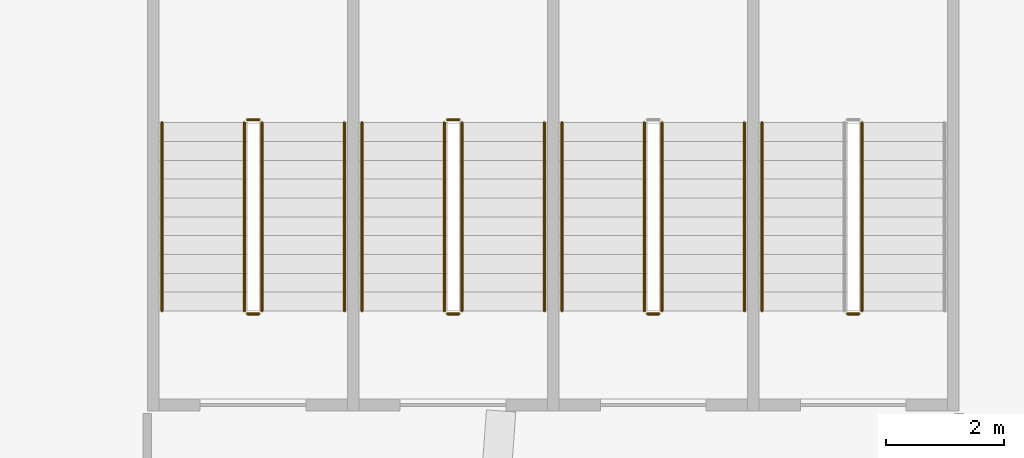
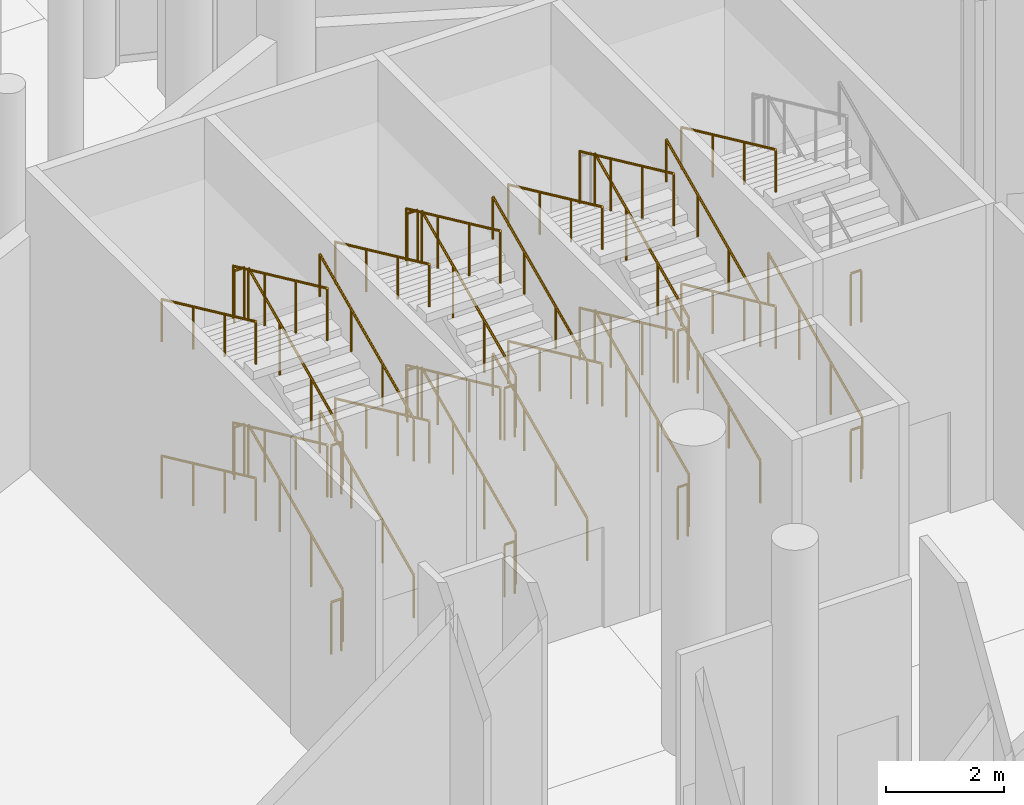
# One storey, part 247 of 255: 39 railings.
"""IFC4 building model written with IfcOpenShell, lengths in metres."""

from ifc_helpers import new_model, si_unit, direction, frame, origin, origin_2d, place, context, subcontext, project, spatial, circle, extrude, material, type_object, element, save


model = new_model("IFC4")

# Units and contexts
model_context = context("Model", 3, precision=1e-05, world=origin(), true_north=direction((0.0, 1.0)))
body_context = subcontext(model_context, "Body", "Model", "MODEL_VIEW")
ifc_project = project(units=[si_unit("LENGTHUNIT", "METRE"), si_unit("AREAUNIT", "SQUARE_METRE"), si_unit("VOLUMEUNIT", "CUBIC_METRE"), si_unit("PLANEANGLEUNIT", "RADIAN"), si_unit("MASSUNIT", "GRAM", prefix="KILO")], contexts=[model_context])

# Site, building, storey
site_placement = place(None, origin())
site = spatial("IfcSite", under=ifc_project, at=site_placement, CompositionType="ELEMENT")
building_placement = place(site_placement, origin())
building = spatial("IfcBuilding", under=site, at=building_placement, Name="Meseta Stadium", CompositionType="ELEMENT")
storey_placement = place(building_placement, origin())
storey = spatial("IfcBuildingStorey", under=building, at=storey_placement, Name="L00", CompositionType="ELEMENT", Elevation=0.0)

# Railings
ifc_material_1 = material(Name="Steel S355", Category="steel")
railing_type_1 = type_object("IfcRailingType", Name="Stair guard 1100", PredefinedType="GUARDRAIL", material=ifc_material_1)
railing_1_placement = place(storey_placement, frame((12.916748046875, 94.89990234375, 0.147705078125)))
element("IfcRailing", 1, at=railing_1_placement, inside=storey, type_object=railing_type_1, Name="ST37 L00 guard 1", PredefinedType="GUARDRAIL", context=body_context, shape_type="SweptSolid", body=[
    extrude(circle(Radius=0.02392578125, at=origin_2d()), frame((0.0, 0.0, 1.076171875), z_axis=(0.0, 0.907928972973, 0.419124062821), x_axis=(-1.0, 0.0, 0.0)), (0.0, 0.0, 1.0), 3.524658203125),
    extrude(circle(Radius=0.02099609375, at=origin_2d()), origin(), (0.0, 0.0, 1.0), 1.052001953125),
    extrude(circle(Radius=0.02099609375, at=origin_2d()), frame((0.0, 1.066650390625, 0.492431640625)), (0.0, 0.0, 1.0), 1.052001953125),
    extrude(circle(Radius=0.02099609375, at=origin_2d()), frame((0.0, 2.133544921875, 0.98486328125)), (0.0, 0.0, 1.0), 1.052001953125),
    extrude(circle(Radius=0.02099609375, at=origin_2d()), frame((0.0, 3.2001953125, 1.477294921875)), (0.0, 0.0, 1.0), 1.052001953125),
])
for number, where, name in (
    (2, (12.86669921875, 94.85009765625, 3.25), "ST37 L00 guard 4"),
    (3, (12.86669921875, 94.85009765625, 0.0), "ST37 L00 guard 8"),
):
    element("IfcRailing", number, at=place(storey_placement, frame(where)), inside=storey, type_object=railing_type_1, Name=name, PredefinedType="GUARDRAIL", context=body_context, shape_type="SweptSolid", body=[
        extrude(circle(Radius=0.02392578125, at=origin_2d()), frame((0.0, 0.0, 1.076171875), z_axis=(-1.0, 0.0, 0.0), x_axis=(0.0, -1.0, 0.0)), (0.0, 0.0, 1.0), 0.199951171875),
        extrude(circle(Radius=0.02099609375, at=origin_2d()), origin(), (0.0, 0.0, 1.0), 1.052001953125),
        extrude(circle(Radius=0.02099609375, at=origin_2d()), frame((-0.199951171875, 0.0, 0.0)), (0.0, 0.0, 1.0), 1.052001953125),
    ])
railing_2_placement = place(storey_placement, frame((9.5166015625, 94.89990234375, 0.147705078125)))
element("IfcRailing", 4, at=railing_2_placement, inside=storey, type_object=railing_type_1, Name="ST38 L00 guard 1", PredefinedType="GUARDRAIL", context=body_context, shape_type="SweptSolid", body=[
    extrude(circle(Radius=0.02392578125, at=origin_2d()), frame((0.0, 0.0, 1.076171875), z_axis=(0.0, 0.907928972973, 0.419124062821), x_axis=(-1.0, 0.0, 0.0)), (0.0, 0.0, 1.0), 3.524658203125),
    extrude(circle(Radius=0.02099609375, at=origin_2d()), origin(), (0.0, 0.0, 1.0), 1.052001953125),
    extrude(circle(Radius=0.02099609375, at=origin_2d()), frame((0.0, 1.066650390625, 0.492431640625)), (0.0, 0.0, 1.0), 1.052001953125),
    extrude(circle(Radius=0.02099609375, at=origin_2d()), frame((0.0, 2.133544921875, 0.98486328125)), (0.0, 0.0, 1.0), 1.052001953125),
    extrude(circle(Radius=0.02099609375, at=origin_2d()), frame((0.0, 3.2001953125, 1.477294921875)), (0.0, 0.0, 1.0), 1.052001953125),
])
railing_3_placement = place(storey_placement, frame((9.216552734375, 98.10009765625, 1.772705078125)))
element("IfcRailing", 5, at=railing_3_placement, inside=storey, type_object=railing_type_1, Name="ST38 L00 guard 3", PredefinedType="GUARDRAIL", context=body_context, shape_type="SweptSolid", body=[
    extrude(circle(Radius=0.02392578125, at=origin_2d()), frame((0.0, 0.0, 1.076171875), z_axis=(0.0, -0.907928972973, 0.419124062821), x_axis=(1.0, 0.0, 0.0)), (0.0, 0.0, 1.0), 3.524658203125),
    extrude(circle(Radius=0.02099609375, at=origin_2d()), origin(), (0.0, 0.0, 1.0), 1.052001953125),
    extrude(circle(Radius=0.02099609375, at=origin_2d()), frame((0.0, -1.066650390625, 0.492431640625)), (0.0, 0.0, 1.0), 1.052001953125),
    extrude(circle(Radius=0.02099609375, at=origin_2d()), frame((0.0, -2.133544921875, 0.98486328125)), (0.0, 0.0, 1.0), 1.052001953125),
    extrude(circle(Radius=0.02099609375, at=origin_2d()), frame((0.0, -3.2001953125, 1.477294921875)), (0.0, 0.0, 1.0), 1.052001953125),
])
railing_4_placement = place(storey_placement, frame((9.466552734375, 94.85009765625, 3.25)))
element("IfcRailing", 6, at=railing_4_placement, inside=storey, type_object=railing_type_1, Name="ST38 L00 guard 4", PredefinedType="GUARDRAIL", context=body_context, shape_type="SweptSolid", body=[
    extrude(circle(Radius=0.02392578125, at=origin_2d()), frame((0.0, 0.0, 1.076171875), z_axis=(-1.0, 0.0, 0.0), x_axis=(0.0, -1.0, 0.0)), (0.0, 0.0, 1.0), 0.199951171875),
    extrude(circle(Radius=0.02099609375, at=origin_2d()), origin(), (0.0, 0.0, 1.0), 1.052001953125),
    extrude(circle(Radius=0.02099609375, at=origin_2d()), frame((-0.199951171875, 0.0, 0.0)), (0.0, 0.0, 1.0), 1.052001953125),
])
railing_5_placement = place(storey_placement, frame((9.5166015625, 94.89990234375, 3.397705078125)))
element("IfcRailing", 7, at=railing_5_placement, inside=storey, type_object=railing_type_1, Name="ST38 L00 guard 5", PredefinedType="GUARDRAIL", context=body_context, shape_type="SweptSolid", body=[
    extrude(circle(Radius=0.02392578125, at=origin_2d()), frame((0.0, 0.0, 1.076171875), z_axis=(0.0, 0.907928972973, 0.419124062821), x_axis=(-1.0, 0.0, 0.0)), (0.0, 0.0, 1.0), 3.524658203125),
    extrude(circle(Radius=0.02099609375, at=origin_2d()), origin(), (0.0, 0.0, 1.0), 1.052001953125),
    extrude(circle(Radius=0.02099609375, at=origin_2d()), frame((0.0, 1.066650390625, 0.492431640625)), (0.0, 0.0, 1.0), 1.052001953125),
    extrude(circle(Radius=0.02099609375, at=origin_2d()), frame((0.0, 2.133544921875, 0.98486328125)), (0.0, 0.0, 1.0), 1.052001953125),
    extrude(circle(Radius=0.02099609375, at=origin_2d()), frame((0.0, 3.2001953125, 1.477294921875)), (0.0, 0.0, 1.0), 1.052001953125),
])
railing_6_placement = place(storey_placement, frame((9.216552734375, 98.10009765625, 5.022705078125)))
element("IfcRailing", 8, at=railing_6_placement, inside=storey, type_object=railing_type_1, Name="ST38 L00 guard 7", PredefinedType="GUARDRAIL", context=body_context, shape_type="SweptSolid", body=[
    extrude(circle(Radius=0.02392578125, at=origin_2d()), frame((0.0, 0.0, 1.076171875), z_axis=(0.0, -0.907928972973, 0.419124062821), x_axis=(1.0, 0.0, 0.0)), (0.0, 0.0, 1.0), 3.524658203125),
    extrude(circle(Radius=0.02099609375, at=origin_2d()), origin(), (0.0, 0.0, 1.0), 1.052001953125),
    extrude(circle(Radius=0.02099609375, at=origin_2d()), frame((0.0, -1.066650390625, 0.492431640625)), (0.0, 0.0, 1.0), 1.052001953125),
    extrude(circle(Radius=0.02099609375, at=origin_2d()), frame((0.0, -2.133544921875, 0.98486328125)), (0.0, 0.0, 1.0), 1.052001953125),
    extrude(circle(Radius=0.02099609375, at=origin_2d()), frame((0.0, -3.2001953125, 1.477294921875)), (0.0, 0.0, 1.0), 1.052001953125),
])
railing_7_placement = place(storey_placement, frame((9.466552734375, 94.85009765625, 0.0)))
element("IfcRailing", 9, at=railing_7_placement, inside=storey, type_object=railing_type_1, Name="ST38 L00 guard 8", PredefinedType="GUARDRAIL", context=body_context, shape_type="SweptSolid", body=[
    extrude(circle(Radius=0.02392578125, at=origin_2d()), frame((0.0, 0.0, 1.076171875), z_axis=(-1.0, 0.0, 0.0), x_axis=(0.0, -1.0, 0.0)), (0.0, 0.0, 1.0), 0.199951171875),
    extrude(circle(Radius=0.02099609375, at=origin_2d()), origin(), (0.0, 0.0, 1.0), 1.052001953125),
    extrude(circle(Radius=0.02099609375, at=origin_2d()), frame((-0.199951171875, 0.0, 0.0)), (0.0, 0.0, 1.0), 1.052001953125),
])
railing_8_placement = place(storey_placement, frame((6.11669921875, 94.89990234375, 0.147705078125)))
element("IfcRailing", 10, at=railing_8_placement, inside=storey, type_object=railing_type_1, Name="ST39 L00 guard 1", PredefinedType="GUARDRAIL", context=body_context, shape_type="SweptSolid", body=[
    extrude(circle(Radius=0.02392578125, at=origin_2d()), frame((0.0, 0.0, 1.076171875), z_axis=(0.0, 0.907928972973, 0.419124062821), x_axis=(-1.0, 0.0, 0.0)), (0.0, 0.0, 1.0), 3.524658203125),
    extrude(circle(Radius=0.02099609375, at=origin_2d()), origin(), (0.0, 0.0, 1.0), 1.052001953125),
    extrude(circle(Radius=0.02099609375, at=origin_2d()), frame((0.0, 1.066650390625, 0.492431640625)), (0.0, 0.0, 1.0), 1.052001953125),
    extrude(circle(Radius=0.02099609375, at=origin_2d()), frame((0.0, 2.133544921875, 0.98486328125)), (0.0, 0.0, 1.0), 1.052001953125),
    extrude(circle(Radius=0.02099609375, at=origin_2d()), frame((0.0, 3.2001953125, 1.477294921875)), (0.0, 0.0, 1.0), 1.052001953125),
])
railing_9_placement = place(storey_placement, frame((6.066650390625, 98.14990234375, 1.625)))
element("IfcRailing", 11, at=railing_9_placement, inside=storey, type_object=railing_type_1, Name="ST39 L00 guard 2", PredefinedType="GUARDRAIL", context=body_context, shape_type="SweptSolid", body=[
    extrude(circle(Radius=0.02392578125, at=origin_2d()), frame((0.0, 0.0, 1.076171875), z_axis=(-1.0, 0.0, 0.0), x_axis=(0.0, -1.0, 0.0)), (0.0, 0.0, 1.0), 0.199951171875),
    extrude(circle(Radius=0.02099609375, at=origin_2d()), origin(), (0.0, 0.0, 1.0), 1.052001953125),
    extrude(circle(Radius=0.02099609375, at=origin_2d()), frame((-0.199951171875, 0.0, 0.0)), (0.0, 0.0, 1.0), 1.052001953125),
])
railing_10_placement = place(storey_placement, frame((5.816650390625, 98.10009765625, 1.772705078125)))
element("IfcRailing", 12, at=railing_10_placement, inside=storey, type_object=railing_type_1, Name="ST39 L00 guard 3", PredefinedType="GUARDRAIL", context=body_context, shape_type="SweptSolid", body=[
    extrude(circle(Radius=0.02392578125, at=origin_2d()), frame((0.0, 0.0, 1.076171875), z_axis=(0.0, -0.907928972973, 0.419124062821), x_axis=(1.0, 0.0, 0.0)), (0.0, 0.0, 1.0), 3.524658203125),
    extrude(circle(Radius=0.02099609375, at=origin_2d()), origin(), (0.0, 0.0, 1.0), 1.052001953125),
    extrude(circle(Radius=0.02099609375, at=origin_2d()), frame((0.0, -1.066650390625, 0.492431640625)), (0.0, 0.0, 1.0), 1.052001953125),
    extrude(circle(Radius=0.02099609375, at=origin_2d()), frame((0.0, -2.133544921875, 0.98486328125)), (0.0, 0.0, 1.0), 1.052001953125),
    extrude(circle(Radius=0.02099609375, at=origin_2d()), frame((0.0, -3.2001953125, 1.477294921875)), (0.0, 0.0, 1.0), 1.052001953125),
])
railing_11_placement = place(storey_placement, frame((6.066650390625, 94.85009765625, 3.25)))
element("IfcRailing", 13, at=railing_11_placement, inside=storey, type_object=railing_type_1, Name="ST39 L00 guard 4", PredefinedType="GUARDRAIL", context=body_context, shape_type="SweptSolid", body=[
    extrude(circle(Radius=0.02392578125, at=origin_2d()), frame((0.0, 0.0, 1.076171875), z_axis=(-1.0, 0.0, 0.0), x_axis=(0.0, -1.0, 0.0)), (0.0, 0.0, 1.0), 0.199951171875),
    extrude(circle(Radius=0.02099609375, at=origin_2d()), origin(), (0.0, 0.0, 1.0), 1.052001953125),
    extrude(circle(Radius=0.02099609375, at=origin_2d()), frame((-0.199951171875, 0.0, 0.0)), (0.0, 0.0, 1.0), 1.052001953125),
])
railing_12_placement = place(storey_placement, frame((6.11669921875, 94.89990234375, 3.397705078125)))
element("IfcRailing", 14, at=railing_12_placement, inside=storey, type_object=railing_type_1, Name="ST39 L00 guard 5", PredefinedType="GUARDRAIL", context=body_context, shape_type="SweptSolid", body=[
    extrude(circle(Radius=0.02392578125, at=origin_2d()), frame((0.0, 0.0, 1.076171875), z_axis=(0.0, 0.907928972973, 0.419124062821), x_axis=(-1.0, 0.0, 0.0)), (0.0, 0.0, 1.0), 3.524658203125),
    extrude(circle(Radius=0.02099609375, at=origin_2d()), origin(), (0.0, 0.0, 1.0), 1.052001953125),
    extrude(circle(Radius=0.02099609375, at=origin_2d()), frame((0.0, 1.066650390625, 0.492431640625)), (0.0, 0.0, 1.0), 1.052001953125),
    extrude(circle(Radius=0.02099609375, at=origin_2d()), frame((0.0, 2.133544921875, 0.98486328125)), (0.0, 0.0, 1.0), 1.052001953125),
    extrude(circle(Radius=0.02099609375, at=origin_2d()), frame((0.0, 3.2001953125, 1.477294921875)), (0.0, 0.0, 1.0), 1.052001953125),
])
railing_13_placement = place(storey_placement, frame((6.066650390625, 98.14990234375, 4.875)))
element("IfcRailing", 15, at=railing_13_placement, inside=storey, type_object=railing_type_1, Name="ST39 L00 guard 6", PredefinedType="GUARDRAIL", context=body_context, shape_type="SweptSolid", body=[
    extrude(circle(Radius=0.02392578125, at=origin_2d()), frame((0.0, 0.0, 1.076171875), z_axis=(-1.0, 0.0, 0.0), x_axis=(0.0, -1.0, 0.0)), (0.0, 0.0, 1.0), 0.199951171875),
    extrude(circle(Radius=0.02099609375, at=origin_2d()), origin(), (0.0, 0.0, 1.0), 1.052001953125),
    extrude(circle(Radius=0.02099609375, at=origin_2d()), frame((-0.199951171875, 0.0, 0.0)), (0.0, 0.0, 1.0), 1.052001953125),
])
railing_14_placement = place(storey_placement, frame((5.816650390625, 98.10009765625, 5.022705078125)))
element("IfcRailing", 16, at=railing_14_placement, inside=storey, type_object=railing_type_1, Name="ST39 L00 guard 7", PredefinedType="GUARDRAIL", context=body_context, shape_type="SweptSolid", body=[
    extrude(circle(Radius=0.02392578125, at=origin_2d()), frame((0.0, 0.0, 1.076171875), z_axis=(0.0, -0.907928972973, 0.419124062821), x_axis=(1.0, 0.0, 0.0)), (0.0, 0.0, 1.0), 3.524658203125),
    extrude(circle(Radius=0.02099609375, at=origin_2d()), origin(), (0.0, 0.0, 1.0), 1.052001953125),
    extrude(circle(Radius=0.02099609375, at=origin_2d()), frame((0.0, -1.066650390625, 0.492431640625)), (0.0, 0.0, 1.0), 1.052001953125),
    extrude(circle(Radius=0.02099609375, at=origin_2d()), frame((0.0, -2.133544921875, 0.98486328125)), (0.0, 0.0, 1.0), 1.052001953125),
    extrude(circle(Radius=0.02099609375, at=origin_2d()), frame((0.0, -3.2001953125, 1.477294921875)), (0.0, 0.0, 1.0), 1.052001953125),
])
railing_15_placement = place(storey_placement, frame((6.066650390625, 94.85009765625, 0.0)))
element("IfcRailing", 17, at=railing_15_placement, inside=storey, type_object=railing_type_1, Name="ST39 L00 guard 8", PredefinedType="GUARDRAIL", context=body_context, shape_type="SweptSolid", body=[
    extrude(circle(Radius=0.02392578125, at=origin_2d()), frame((0.0, 0.0, 1.076171875), z_axis=(-1.0, 0.0, 0.0), x_axis=(0.0, -1.0, 0.0)), (0.0, 0.0, 1.0), 0.199951171875),
    extrude(circle(Radius=0.02099609375, at=origin_2d()), origin(), (0.0, 0.0, 1.0), 1.052001953125),
    extrude(circle(Radius=0.02099609375, at=origin_2d()), frame((-0.199951171875, 0.0, 0.0)), (0.0, 0.0, 1.0), 1.052001953125),
])
railing_16_placement = place(storey_placement, frame((2.716552734375, 94.89990234375, 0.147705078125)))
element("IfcRailing", 18, at=railing_16_placement, inside=storey, type_object=railing_type_1, Name="ST40 L00 guard 1", PredefinedType="GUARDRAIL", context=body_context, shape_type="SweptSolid", body=[
    extrude(circle(Radius=0.02392578125, at=origin_2d()), frame((0.0, 0.0, 1.076171875), z_axis=(0.0, 0.907928972973, 0.419124062821), x_axis=(-1.0, 0.0, 0.0)), (0.0, 0.0, 1.0), 3.524658203125),
    extrude(circle(Radius=0.02099609375, at=origin_2d()), origin(), (0.0, 0.0, 1.0), 1.052001953125),
    extrude(circle(Radius=0.02099609375, at=origin_2d()), frame((0.0, 1.066650390625, 0.492431640625)), (0.0, 0.0, 1.0), 1.052001953125),
    extrude(circle(Radius=0.02099609375, at=origin_2d()), frame((0.0, 2.133544921875, 0.98486328125)), (0.0, 0.0, 1.0), 1.052001953125),
    extrude(circle(Radius=0.02099609375, at=origin_2d()), frame((0.0, 3.2001953125, 1.477294921875)), (0.0, 0.0, 1.0), 1.052001953125),
])
railing_17_placement = place(storey_placement, frame((2.666748046875, 98.14990234375, 1.625)))
element("IfcRailing", 19, at=railing_17_placement, inside=storey, type_object=railing_type_1, Name="ST40 L00 guard 2", PredefinedType="GUARDRAIL", context=body_context, shape_type="SweptSolid", body=[
    extrude(circle(Radius=0.02392578125, at=origin_2d()), frame((0.0, 0.0, 1.076171875), z_axis=(-1.0, 0.0, 0.0), x_axis=(0.0, -1.0, 0.0)), (0.0, 0.0, 1.0), 0.2001953125),
    extrude(circle(Radius=0.02099609375, at=origin_2d()), origin(), (0.0, 0.0, 1.0), 1.052001953125),
    extrude(circle(Radius=0.02099609375, at=origin_2d()), frame((-0.2001953125, 0.0, 0.0)), (0.0, 0.0, 1.0), 1.052001953125),
])
railing_18_placement = place(storey_placement, frame((2.416748046875, 98.10009765625, 1.772705078125)))
element("IfcRailing", 20, at=railing_18_placement, inside=storey, type_object=railing_type_1, Name="ST40 L00 guard 3", PredefinedType="GUARDRAIL", context=body_context, shape_type="SweptSolid", body=[
    extrude(circle(Radius=0.02392578125, at=origin_2d()), frame((0.0, 0.0, 1.076171875), z_axis=(0.0, -0.907928972973, 0.419124062821), x_axis=(1.0, 0.0, 0.0)), (0.0, 0.0, 1.0), 3.524658203125),
    extrude(circle(Radius=0.02099609375, at=origin_2d()), origin(), (0.0, 0.0, 1.0), 1.052001953125),
    extrude(circle(Radius=0.02099609375, at=origin_2d()), frame((0.0, -1.066650390625, 0.492431640625)), (0.0, 0.0, 1.0), 1.052001953125),
    extrude(circle(Radius=0.02099609375, at=origin_2d()), frame((0.0, -2.133544921875, 0.98486328125)), (0.0, 0.0, 1.0), 1.052001953125),
    extrude(circle(Radius=0.02099609375, at=origin_2d()), frame((0.0, -3.2001953125, 1.477294921875)), (0.0, 0.0, 1.0), 1.052001953125),
])
railing_19_placement = place(storey_placement, frame((2.666748046875, 94.85009765625, 3.25)))
element("IfcRailing", 21, at=railing_19_placement, inside=storey, type_object=railing_type_1, Name="ST40 L00 guard 4", PredefinedType="GUARDRAIL", context=body_context, shape_type="SweptSolid", body=[
    extrude(circle(Radius=0.02392578125, at=origin_2d()), frame((0.0, 0.0, 1.076171875), z_axis=(-1.0, 0.0, 0.0), x_axis=(0.0, -1.0, 0.0)), (0.0, 0.0, 1.0), 0.2001953125),
    extrude(circle(Radius=0.02099609375, at=origin_2d()), origin(), (0.0, 0.0, 1.0), 1.052001953125),
    extrude(circle(Radius=0.02099609375, at=origin_2d()), frame((-0.2001953125, 0.0, 0.0)), (0.0, 0.0, 1.0), 1.052001953125),
])
railing_20_placement = place(storey_placement, frame((2.716552734375, 94.89990234375, 3.397705078125)))
element("IfcRailing", 22, at=railing_20_placement, inside=storey, type_object=railing_type_1, Name="ST40 L00 guard 5", PredefinedType="GUARDRAIL", context=body_context, shape_type="SweptSolid", body=[
    extrude(circle(Radius=0.02392578125, at=origin_2d()), frame((0.0, 0.0, 1.076171875), z_axis=(0.0, 0.907928972973, 0.419124062821), x_axis=(-1.0, 0.0, 0.0)), (0.0, 0.0, 1.0), 3.524658203125),
    extrude(circle(Radius=0.02099609375, at=origin_2d()), origin(), (0.0, 0.0, 1.0), 1.052001953125),
    extrude(circle(Radius=0.02099609375, at=origin_2d()), frame((0.0, 1.066650390625, 0.492431640625)), (0.0, 0.0, 1.0), 1.052001953125),
    extrude(circle(Radius=0.02099609375, at=origin_2d()), frame((0.0, 2.133544921875, 0.98486328125)), (0.0, 0.0, 1.0), 1.052001953125),
    extrude(circle(Radius=0.02099609375, at=origin_2d()), frame((0.0, 3.2001953125, 1.477294921875)), (0.0, 0.0, 1.0), 1.052001953125),
])
railing_21_placement = place(storey_placement, frame((2.666748046875, 98.14990234375, 4.875)))
element("IfcRailing", 23, at=railing_21_placement, inside=storey, type_object=railing_type_1, Name="ST40 L00 guard 6", PredefinedType="GUARDRAIL", context=body_context, shape_type="SweptSolid", body=[
    extrude(circle(Radius=0.02392578125, at=origin_2d()), frame((0.0, 0.0, 1.076171875), z_axis=(-1.0, 0.0, 0.0), x_axis=(0.0, -1.0, 0.0)), (0.0, 0.0, 1.0), 0.2001953125),
    extrude(circle(Radius=0.02099609375, at=origin_2d()), origin(), (0.0, 0.0, 1.0), 1.052001953125),
    extrude(circle(Radius=0.02099609375, at=origin_2d()), frame((-0.2001953125, 0.0, 0.0)), (0.0, 0.0, 1.0), 1.052001953125),
])
railing_22_placement = place(storey_placement, frame((2.416748046875, 98.10009765625, 5.022705078125)))
element("IfcRailing", 24, at=railing_22_placement, inside=storey, type_object=railing_type_1, Name="ST40 L00 guard 7", PredefinedType="GUARDRAIL", context=body_context, shape_type="SweptSolid", body=[
    extrude(circle(Radius=0.02392578125, at=origin_2d()), frame((0.0, 0.0, 1.076171875), z_axis=(0.0, -0.907928972973, 0.419124062821), x_axis=(1.0, 0.0, 0.0)), (0.0, 0.0, 1.0), 3.524658203125),
    extrude(circle(Radius=0.02099609375, at=origin_2d()), origin(), (0.0, 0.0, 1.0), 1.052001953125),
    extrude(circle(Radius=0.02099609375, at=origin_2d()), frame((0.0, -1.066650390625, 0.492431640625)), (0.0, 0.0, 1.0), 1.052001953125),
    extrude(circle(Radius=0.02099609375, at=origin_2d()), frame((0.0, -2.133544921875, 0.98486328125)), (0.0, 0.0, 1.0), 1.052001953125),
    extrude(circle(Radius=0.02099609375, at=origin_2d()), frame((0.0, -3.2001953125, 1.477294921875)), (0.0, 0.0, 1.0), 1.052001953125),
])
railing_23_placement = place(storey_placement, frame((2.666748046875, 94.85009765625, 0.0)))
element("IfcRailing", 25, at=railing_23_placement, inside=storey, type_object=railing_type_1, Name="ST40 L00 guard 8", PredefinedType="GUARDRAIL", context=body_context, shape_type="SweptSolid", body=[
    extrude(circle(Radius=0.02392578125, at=origin_2d()), frame((0.0, 0.0, 1.076171875), z_axis=(-1.0, 0.0, 0.0), x_axis=(0.0, -1.0, 0.0)), (0.0, 0.0, 1.0), 0.2001953125),
    extrude(circle(Radius=0.02099609375, at=origin_2d()), origin(), (0.0, 0.0, 1.0), 1.052001953125),
    extrude(circle(Radius=0.02099609375, at=origin_2d()), frame((-0.2001953125, 0.0, 0.0)), (0.0, 0.0, 1.0), 1.052001953125),
])
ifc_material_2 = material(Name="Steel S355", Category="steel")
railing_type_2 = type_object("IfcRailingType", Name="Stair handrail 900", PredefinedType="HANDRAIL", material=ifc_material_2)
for number, where, name in (
    (26, (11.216552734375, 98.10009765625, 1.772705078125), "ST37 L00 handrail 2"),
    (27, (11.216552734375, 98.10009765625, 5.022705078125), "ST37 L00 handrail 4"),
):
    element("IfcRailing", number, at=place(storey_placement, frame(where)), inside=storey, type_object=railing_type_2, Name=name, PredefinedType="HANDRAIL", context=body_context, shape_type="SweptSolid", body=[
        extrude(circle(Radius=0.02392578125, at=origin_2d()), frame((0.0, 0.0, 0.8759765625), z_axis=(0.0, -0.907928972973, 0.419124062821), x_axis=(1.0, 0.0, 0.0)), (0.0, 0.0, 1.0), 3.524658203125),
        extrude(circle(Radius=0.02099609375, at=origin_2d()), origin(), (0.0, 0.0, 1.0), 0.851806640625),
        extrude(circle(Radius=0.02099609375, at=origin_2d()), frame((0.0, -1.066650390625, 0.492431640625)), (0.0, 0.0, 1.0), 0.851806640625),
        extrude(circle(Radius=0.02099609375, at=origin_2d()), frame((0.0, -2.133544921875, 0.98486328125)), (0.0, 0.0, 1.0), 0.851806640625),
        extrude(circle(Radius=0.02099609375, at=origin_2d()), frame((0.0, -3.2001953125, 1.477294921875)), (0.0, 0.0, 1.0), 0.851806640625),
    ])
railing_24_placement = place(storey_placement, frame((10.916748046875, 94.89990234375, 0.147705078125)))
element("IfcRailing", 28, at=railing_24_placement, inside=storey, type_object=railing_type_2, Name="ST38 L00 handrail 1", PredefinedType="HANDRAIL", context=body_context, shape_type="SweptSolid", body=[
    extrude(circle(Radius=0.02392578125, at=origin_2d()), frame((0.0, 0.0, 0.8759765625), z_axis=(0.0, 0.907928972973, 0.419124062821), x_axis=(-1.0, 0.0, 0.0)), (0.0, 0.0, 1.0), 3.524658203125),
    extrude(circle(Radius=0.02099609375, at=origin_2d()), origin(), (0.0, 0.0, 1.0), 0.851806640625),
    extrude(circle(Radius=0.02099609375, at=origin_2d()), frame((0.0, 1.066650390625, 0.492431640625)), (0.0, 0.0, 1.0), 0.851806640625),
    extrude(circle(Radius=0.02099609375, at=origin_2d()), frame((0.0, 2.133544921875, 0.98486328125)), (0.0, 0.0, 1.0), 0.851806640625),
    extrude(circle(Radius=0.02099609375, at=origin_2d()), frame((0.0, 3.2001953125, 1.477294921875)), (0.0, 0.0, 1.0), 0.851806640625),
])
railing_25_placement = place(storey_placement, frame((7.816650390625, 98.10009765625, 1.772705078125)))
element("IfcRailing", 29, at=railing_25_placement, inside=storey, type_object=railing_type_2, Name="ST38 L00 handrail 2", PredefinedType="HANDRAIL", context=body_context, shape_type="SweptSolid", body=[
    extrude(circle(Radius=0.02392578125, at=origin_2d()), frame((0.0, 0.0, 0.8759765625), z_axis=(0.0, -0.907928972973, 0.419124062821), x_axis=(1.0, 0.0, 0.0)), (0.0, 0.0, 1.0), 3.524658203125),
    extrude(circle(Radius=0.02099609375, at=origin_2d()), origin(), (0.0, 0.0, 1.0), 0.851806640625),
    extrude(circle(Radius=0.02099609375, at=origin_2d()), frame((0.0, -1.066650390625, 0.492431640625)), (0.0, 0.0, 1.0), 0.851806640625),
    extrude(circle(Radius=0.02099609375, at=origin_2d()), frame((0.0, -2.133544921875, 0.98486328125)), (0.0, 0.0, 1.0), 0.851806640625),
    extrude(circle(Radius=0.02099609375, at=origin_2d()), frame((0.0, -3.2001953125, 1.477294921875)), (0.0, 0.0, 1.0), 0.851806640625),
])
railing_26_placement = place(storey_placement, frame((10.916748046875, 94.89990234375, 3.397705078125)))
element("IfcRailing", 30, at=railing_26_placement, inside=storey, type_object=railing_type_2, Name="ST38 L00 handrail 3", PredefinedType="HANDRAIL", context=body_context, shape_type="SweptSolid", body=[
    extrude(circle(Radius=0.02392578125, at=origin_2d()), frame((0.0, 0.0, 0.8759765625), z_axis=(0.0, 0.907928972973, 0.419124062821), x_axis=(-1.0, 0.0, 0.0)), (0.0, 0.0, 1.0), 3.524658203125),
    extrude(circle(Radius=0.02099609375, at=origin_2d()), origin(), (0.0, 0.0, 1.0), 0.851806640625),
    extrude(circle(Radius=0.02099609375, at=origin_2d()), frame((0.0, 1.066650390625, 0.492431640625)), (0.0, 0.0, 1.0), 0.851806640625),
    extrude(circle(Radius=0.02099609375, at=origin_2d()), frame((0.0, 2.133544921875, 0.98486328125)), (0.0, 0.0, 1.0), 0.851806640625),
    extrude(circle(Radius=0.02099609375, at=origin_2d()), frame((0.0, 3.2001953125, 1.477294921875)), (0.0, 0.0, 1.0), 0.851806640625),
])
railing_27_placement = place(storey_placement, frame((7.816650390625, 98.10009765625, 5.022705078125)))
element("IfcRailing", 31, at=railing_27_placement, inside=storey, type_object=railing_type_2, Name="ST38 L00 handrail 4", PredefinedType="HANDRAIL", context=body_context, shape_type="SweptSolid", body=[
    extrude(circle(Radius=0.02392578125, at=origin_2d()), frame((0.0, 0.0, 0.8759765625), z_axis=(0.0, -0.907928972973, 0.419124062821), x_axis=(1.0, 0.0, 0.0)), (0.0, 0.0, 1.0), 3.524658203125),
    extrude(circle(Radius=0.02099609375, at=origin_2d()), origin(), (0.0, 0.0, 1.0), 0.851806640625),
    extrude(circle(Radius=0.02099609375, at=origin_2d()), frame((0.0, -1.066650390625, 0.492431640625)), (0.0, 0.0, 1.0), 0.851806640625),
    extrude(circle(Radius=0.02099609375, at=origin_2d()), frame((0.0, -2.133544921875, 0.98486328125)), (0.0, 0.0, 1.0), 0.851806640625),
    extrude(circle(Radius=0.02099609375, at=origin_2d()), frame((0.0, -3.2001953125, 1.477294921875)), (0.0, 0.0, 1.0), 0.851806640625),
])
railing_28_placement = place(storey_placement, frame((7.5166015625, 94.89990234375, 0.147705078125)))
element("IfcRailing", 32, at=railing_28_placement, inside=storey, type_object=railing_type_2, Name="ST39 L00 handrail 1", PredefinedType="HANDRAIL", context=body_context, shape_type="SweptSolid", body=[
    extrude(circle(Radius=0.02392578125, at=origin_2d()), frame((0.0, 0.0, 0.8759765625), z_axis=(0.0, 0.907928972973, 0.419124062821), x_axis=(-1.0, 0.0, 0.0)), (0.0, 0.0, 1.0), 3.524658203125),
    extrude(circle(Radius=0.02099609375, at=origin_2d()), origin(), (0.0, 0.0, 1.0), 0.851806640625),
    extrude(circle(Radius=0.02099609375, at=origin_2d()), frame((0.0, 1.066650390625, 0.492431640625)), (0.0, 0.0, 1.0), 0.851806640625),
    extrude(circle(Radius=0.02099609375, at=origin_2d()), frame((0.0, 2.133544921875, 0.98486328125)), (0.0, 0.0, 1.0), 0.851806640625),
    extrude(circle(Radius=0.02099609375, at=origin_2d()), frame((0.0, 3.2001953125, 1.477294921875)), (0.0, 0.0, 1.0), 0.851806640625),
])
railing_29_placement = place(storey_placement, frame((4.416748046875, 98.10009765625, 1.772705078125)))
element("IfcRailing", 33, at=railing_29_placement, inside=storey, type_object=railing_type_2, Name="ST39 L00 handrail 2", PredefinedType="HANDRAIL", context=body_context, shape_type="SweptSolid", body=[
    extrude(circle(Radius=0.02392578125, at=origin_2d()), frame((0.0, 0.0, 0.8759765625), z_axis=(0.0, -0.907928972973, 0.419124062821), x_axis=(1.0, 0.0, 0.0)), (0.0, 0.0, 1.0), 3.524658203125),
    extrude(circle(Radius=0.02099609375, at=origin_2d()), origin(), (0.0, 0.0, 1.0), 0.851806640625),
    extrude(circle(Radius=0.02099609375, at=origin_2d()), frame((0.0, -1.066650390625, 0.492431640625)), (0.0, 0.0, 1.0), 0.851806640625),
    extrude(circle(Radius=0.02099609375, at=origin_2d()), frame((0.0, -2.133544921875, 0.98486328125)), (0.0, 0.0, 1.0), 0.851806640625),
    extrude(circle(Radius=0.02099609375, at=origin_2d()), frame((0.0, -3.2001953125, 1.477294921875)), (0.0, 0.0, 1.0), 0.851806640625),
])
railing_30_placement = place(storey_placement, frame((7.5166015625, 94.89990234375, 3.397705078125)))
element("IfcRailing", 34, at=railing_30_placement, inside=storey, type_object=railing_type_2, Name="ST39 L00 handrail 3", PredefinedType="HANDRAIL", context=body_context, shape_type="SweptSolid", body=[
    extrude(circle(Radius=0.02392578125, at=origin_2d()), frame((0.0, 0.0, 0.8759765625), z_axis=(0.0, 0.907928972973, 0.419124062821), x_axis=(-1.0, 0.0, 0.0)), (0.0, 0.0, 1.0), 3.524658203125),
    extrude(circle(Radius=0.02099609375, at=origin_2d()), origin(), (0.0, 0.0, 1.0), 0.851806640625),
    extrude(circle(Radius=0.02099609375, at=origin_2d()), frame((0.0, 1.066650390625, 0.492431640625)), (0.0, 0.0, 1.0), 0.851806640625),
    extrude(circle(Radius=0.02099609375, at=origin_2d()), frame((0.0, 2.133544921875, 0.98486328125)), (0.0, 0.0, 1.0), 0.851806640625),
    extrude(circle(Radius=0.02099609375, at=origin_2d()), frame((0.0, 3.2001953125, 1.477294921875)), (0.0, 0.0, 1.0), 0.851806640625),
])
railing_31_placement = place(storey_placement, frame((4.416748046875, 98.10009765625, 5.022705078125)))
element("IfcRailing", 35, at=railing_31_placement, inside=storey, type_object=railing_type_2, Name="ST39 L00 handrail 4", PredefinedType="HANDRAIL", context=body_context, shape_type="SweptSolid", body=[
    extrude(circle(Radius=0.02392578125, at=origin_2d()), frame((0.0, 0.0, 0.8759765625), z_axis=(0.0, -0.907928972973, 0.419124062821), x_axis=(1.0, 0.0, 0.0)), (0.0, 0.0, 1.0), 3.524658203125),
    extrude(circle(Radius=0.02099609375, at=origin_2d()), origin(), (0.0, 0.0, 1.0), 0.851806640625),
    extrude(circle(Radius=0.02099609375, at=origin_2d()), frame((0.0, -1.066650390625, 0.492431640625)), (0.0, 0.0, 1.0), 0.851806640625),
    extrude(circle(Radius=0.02099609375, at=origin_2d()), frame((0.0, -2.133544921875, 0.98486328125)), (0.0, 0.0, 1.0), 0.851806640625),
    extrude(circle(Radius=0.02099609375, at=origin_2d()), frame((0.0, -3.2001953125, 1.477294921875)), (0.0, 0.0, 1.0), 0.851806640625),
])
railing_32_placement = place(storey_placement, frame((4.11669921875, 94.89990234375, 0.147705078125)))
element("IfcRailing", 36, at=railing_32_placement, inside=storey, type_object=railing_type_2, Name="ST40 L00 handrail 1", PredefinedType="HANDRAIL", context=body_context, shape_type="SweptSolid", body=[
    extrude(circle(Radius=0.02392578125, at=origin_2d()), frame((0.0, 0.0, 0.8759765625), z_axis=(0.0, 0.907928972973, 0.419124062821), x_axis=(-1.0, 0.0, 0.0)), (0.0, 0.0, 1.0), 3.524658203125),
    extrude(circle(Radius=0.02099609375, at=origin_2d()), origin(), (0.0, 0.0, 1.0), 0.851806640625),
    extrude(circle(Radius=0.02099609375, at=origin_2d()), frame((0.0, 1.066650390625, 0.492431640625)), (0.0, 0.0, 1.0), 0.851806640625),
    extrude(circle(Radius=0.02099609375, at=origin_2d()), frame((0.0, 2.133544921875, 0.98486328125)), (0.0, 0.0, 1.0), 0.851806640625),
    extrude(circle(Radius=0.02099609375, at=origin_2d()), frame((0.0, 3.2001953125, 1.477294921875)), (0.0, 0.0, 1.0), 0.851806640625),
])
railing_33_placement = place(storey_placement, frame((1.0166015625, 98.10009765625, 1.772705078125)))
element("IfcRailing", 37, at=railing_33_placement, inside=storey, type_object=railing_type_2, Name="ST40 L00 handrail 2", PredefinedType="HANDRAIL", context=body_context, shape_type="SweptSolid", body=[
    extrude(circle(Radius=0.02392578125, at=origin_2d()), frame((0.0, 0.0, 0.8759765625), z_axis=(0.0, -0.907928972973, 0.419124062821), x_axis=(1.0, 0.0, 0.0)), (0.0, 0.0, 1.0), 3.524658203125),
    extrude(circle(Radius=0.02099609375, at=origin_2d()), origin(), (0.0, 0.0, 1.0), 0.851806640625),
    extrude(circle(Radius=0.02099609375, at=origin_2d()), frame((0.0, -1.066650390625, 0.492431640625)), (0.0, 0.0, 1.0), 0.851806640625),
    extrude(circle(Radius=0.02099609375, at=origin_2d()), frame((0.0, -2.133544921875, 0.98486328125)), (0.0, 0.0, 1.0), 0.851806640625),
    extrude(circle(Radius=0.02099609375, at=origin_2d()), frame((0.0, -3.2001953125, 1.477294921875)), (0.0, 0.0, 1.0), 0.851806640625),
])
railing_34_placement = place(storey_placement, frame((4.11669921875, 94.89990234375, 3.397705078125)))
element("IfcRailing", 38, at=railing_34_placement, inside=storey, type_object=railing_type_2, Name="ST40 L00 handrail 3", PredefinedType="HANDRAIL", context=body_context, shape_type="SweptSolid", body=[
    extrude(circle(Radius=0.02392578125, at=origin_2d()), frame((0.0, 0.0, 0.8759765625), z_axis=(0.0, 0.907928972973, 0.419124062821), x_axis=(-1.0, 0.0, 0.0)), (0.0, 0.0, 1.0), 3.524658203125),
    extrude(circle(Radius=0.02099609375, at=origin_2d()), origin(), (0.0, 0.0, 1.0), 0.851806640625),
    extrude(circle(Radius=0.02099609375, at=origin_2d()), frame((0.0, 1.066650390625, 0.492431640625)), (0.0, 0.0, 1.0), 0.851806640625),
    extrude(circle(Radius=0.02099609375, at=origin_2d()), frame((0.0, 2.133544921875, 0.98486328125)), (0.0, 0.0, 1.0), 0.851806640625),
    extrude(circle(Radius=0.02099609375, at=origin_2d()), frame((0.0, 3.2001953125, 1.477294921875)), (0.0, 0.0, 1.0), 0.851806640625),
])
railing_35_placement = place(storey_placement, frame((1.0166015625, 98.10009765625, 5.022705078125)))
element("IfcRailing", 39, at=railing_35_placement, inside=storey, type_object=railing_type_2, Name="ST40 L00 handrail 4", PredefinedType="HANDRAIL", context=body_context, shape_type="SweptSolid", body=[
    extrude(circle(Radius=0.02392578125, at=origin_2d()), frame((0.0, 0.0, 0.8759765625), z_axis=(0.0, -0.907928972973, 0.419124062821), x_axis=(1.0, 0.0, 0.0)), (0.0, 0.0, 1.0), 3.524658203125),
    extrude(circle(Radius=0.02099609375, at=origin_2d()), origin(), (0.0, 0.0, 1.0), 0.851806640625),
    extrude(circle(Radius=0.02099609375, at=origin_2d()), frame((0.0, -1.066650390625, 0.492431640625)), (0.0, 0.0, 1.0), 0.851806640625),
    extrude(circle(Radius=0.02099609375, at=origin_2d()), frame((0.0, -2.133544921875, 0.98486328125)), (0.0, 0.0, 1.0), 0.851806640625),
    extrude(circle(Radius=0.02099609375, at=origin_2d()), frame((0.0, -3.2001953125, 1.477294921875)), (0.0, 0.0, 1.0), 0.851806640625),
])

save(model, "model.ifc")
